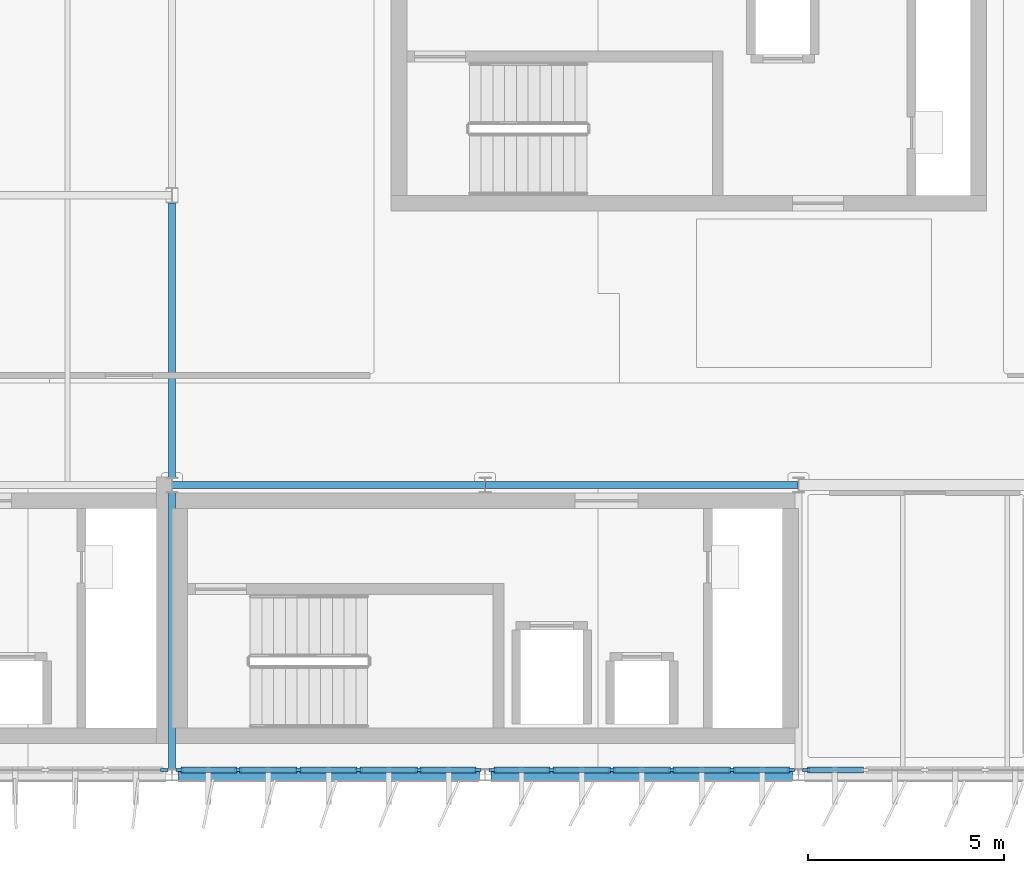
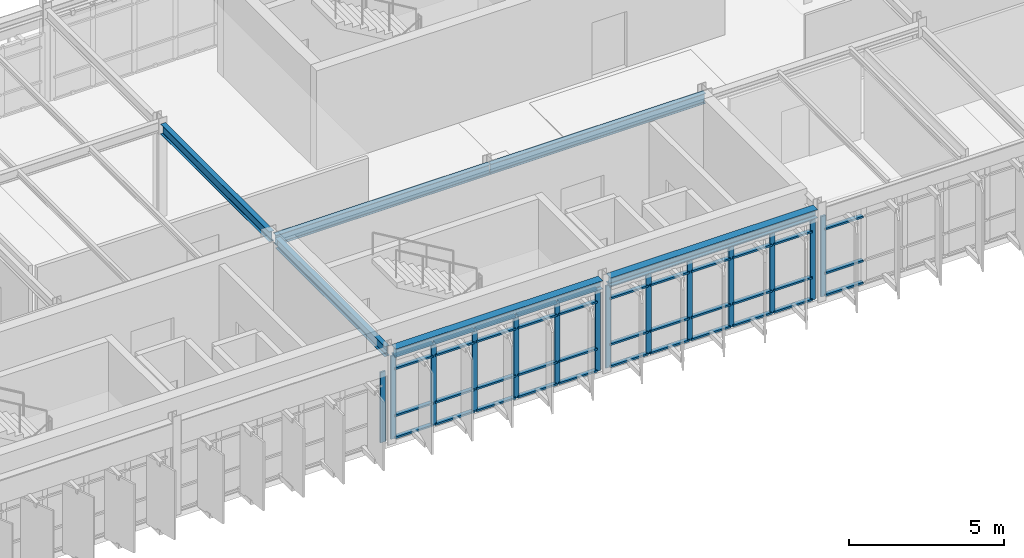
# One storey, part 9 of 35: 57 members, 6 beams, 4 elements without a shape of their own.
"""IFC4 building model written with IfcOpenShell, lengths in metres."""

from ifc_helpers import new_model, si_unit, direction, frame, origin, origin_2d, place, context, subcontext, project, spatial, rectangle, i_section, extrude, material, layer, layer_set, material_profile, profile_set, type_object, element, aggregate, save


model = new_model("IFC4")

# Units and contexts
model_context = context("Model", 3, precision=1e-05, world=origin(), true_north=direction((0.0, 1.0)))
body_context = subcontext(model_context, "Body", "Model", "MODEL_VIEW")
ifc_project = project(units=[si_unit("LENGTHUNIT", "METRE"), si_unit("AREAUNIT", "SQUARE_METRE"), si_unit("VOLUMEUNIT", "CUBIC_METRE"), si_unit("PLANEANGLEUNIT", "RADIAN"), si_unit("MASSUNIT", "GRAM", prefix="KILO")], contexts=[model_context])

# Site, building, storey
site_placement = place(None, origin())
site = spatial("IfcSite", under=ifc_project, at=site_placement, CompositionType="ELEMENT")
building_placement = place(site_placement, origin())
building = spatial("IfcBuilding", under=site, at=building_placement, Name="Valkorina Park Police Headquarters", CompositionType="ELEMENT")
storey_placement = place(building_placement, frame((0.0, 0.0, 27.199951171875)))
storey = spatial("IfcBuildingStorey", under=building, at=storey_placement, Name="L07", CompositionType="ELEMENT", Elevation=27.199951171875)

# Beams
ifc_material_1 = material(Name="Steel S355", Category="steel")
ifc_material_profile_1 = material_profile(ifc_material_1, i_section(OverallWidth=0.300048828125, OverallDepth=0.330078125, WebThickness=0.009521484375, FlangeThickness=0.0166015625, FilletRadius=0.027099609375, at=origin_2d()), Name="HEA 340")
ifc_profile_set_1 = profile_set([ifc_material_profile_1], Name="Steel S355")
beam_type_1 = type_object("IfcBeamType", Name="BM-S355-HEA340-SPN", PredefinedType="SPANDREL", material=ifc_profile_set_1)
for number, where, z_axis, x_axis, name in (
    (1, (32.949951171875, 37.0, 3.51513671875), (1.0, 0.0, 0.0), (0.0, 1.0, 0.0), "L07 Framing Beam 2728"),
    (2, (40.949951171875, 37.0, 3.51513671875), (1.0, 0.0, 0.0), (0.0, 1.0, 0.0), "L07 Framing Beam 2729"),
):
    element("IfcBeam", number, at=place(storey_placement, frame(where, z_axis=z_axis, x_axis=x_axis)), inside=storey, type_object=beam_type_1, Name=name, PredefinedType="SPANDREL", context=body_context, shape_type="SweptSolid", body=[
        extrude(i_section(OverallWidth=0.300048828125, OverallDepth=0.330078125, WebThickness=0.009521484375, FlangeThickness=0.0166015625, FilletRadius=0.027099609375, at=origin_2d()), origin(), (0.0, 0.0, 1.0), 7.699951171875),
    ])
ifc_material_profile_2 = material_profile(ifc_material_1, i_section(OverallWidth=0.179931640625, OverallDepth=0.39990234375, WebThickness=0.008544921875, FlangeThickness=0.013427734375, FilletRadius=0.02099609375, at=origin_2d()), Name="IPE 400")
ifc_profile_set_2 = profile_set([ifc_material_profile_2], Name="Steel S355")
beam_type_2 = type_object("IfcBeamType", Name="BM-S355-IPE400-BM", PredefinedType="BEAM", material=ifc_profile_set_2)
for number, where, z_axis, x_axis, name in (
    (3, (32.805419921875, 44.39990234375, 3.47998046875), (1.0, 0.0, 0.0), (0.0, 1.0, 0.0), "L07 Framing Beam 2737"),
    (4, (40.805419921875, 44.39990234375, 3.47998046875), (1.0, 0.0, 0.0), (0.0, 1.0, 0.0), "L07 Framing Beam 2738"),
):
    element("IfcBeam", number, at=place(storey_placement, frame(where, z_axis=z_axis, x_axis=x_axis)), inside=storey, type_object=beam_type_2, Name=name, PredefinedType="BEAM", context=body_context, shape_type="SweptSolid", body=[
        extrude(i_section(OverallWidth=0.179931640625, OverallDepth=0.39990234375, WebThickness=0.008544921875, FlangeThickness=0.013427734375, FilletRadius=0.02099609375, at=origin_2d()), origin(), (0.0, 0.0, 1.0), 7.989013671875),
    ])
beam_1_placement = place(storey_placement, frame((32.800048828125, 37.14990234375, 3.47998046875), z_axis=(0.0, 1.0, 0.0), x_axis=(-1.0, 0.0, 0.0)))
element("IfcBeam", 5, at=beam_1_placement, inside=storey, type_object=beam_type_2, Name="L07 Framing Beam 2784", PredefinedType="BEAM", context=body_context, shape_type="SweptSolid", body=[
    extrude(i_section(OverallWidth=0.179931640625, OverallDepth=0.39990234375, WebThickness=0.008544921875, FlangeThickness=0.013427734375, FilletRadius=0.02099609375, at=origin_2d()), origin(), (0.0, 0.0, 1.0), 7.05517578125),
])
beam_2_placement = place(storey_placement, frame((32.800048828125, 44.594970703125, 3.47998046875), z_axis=(0.0, 1.0, 0.0), x_axis=(-1.0, 0.0, 0.0)))
element("IfcBeam", 6, at=beam_2_placement, inside=storey, type_object=beam_type_2, Name="L07 Framing Beam 2785", PredefinedType="BEAM", context=body_context, shape_type="SweptSolid", body=[
    extrude(i_section(OverallWidth=0.179931640625, OverallDepth=0.39990234375, WebThickness=0.008544921875, FlangeThickness=0.013427734375, FilletRadius=0.02099609375, at=origin_2d()), origin(), (0.0, 0.0, 1.0), 7.010009765625),
])

# Curtain wall, member
ifc_material_2 = material(Name="Thermally broken aluminium AW-6060", Category="aluminium")
ifc_layer_1 = layer(ifc_material_2, 0.18994140625)
ifc_layer_set_1 = layer_set([ifc_layer_1], Name="Thermally broken aluminium AW-6060")
curtain_wall_type_1 = type_object("IfcCurtainWallType", Name="CW-V5-7680x3160", PredefinedType="NOTDEFINED", material=ifc_layer_set_1)
curtain_wall_1_placement = place(storey_placement, origin())
curtain_wall_1 = element("IfcCurtainWall", 7, at=curtain_wall_1_placement, inside=storey, type_object=curtain_wall_type_1, Name="L07 Unitised Curtain Wall 135", PredefinedType="NOTDEFINED")
ifc_material_profile_3 = material_profile(ifc_material_2, rectangle(XDim=0.070068359375, YDim=0.18994140625, at=origin_2d()), Name="CWM-02 70x190")
ifc_profile_set_3 = profile_set([ifc_material_profile_3], Name="Thermally broken aluminium AW-6060")
member_type_1 = type_object("IfcMemberType", Name="CWM-70x190", PredefinedType="MULLION", material=ifc_profile_set_3)
member_1_placement = place(storey_placement, frame((48.9951171875, 37.1201171875, 0.0), z_axis=(0.0, 0.0, 1.0), x_axis=(0.0, -1.0, 0.0)))
member_1 = element("IfcMember", 8, at=member_1_placement, type_object=member_type_1, Name="CW-V5-768-316 mullion 6", PredefinedType="MULLION", context=body_context, shape_type="SweptSolid", body=[
    extrude(rectangle(XDim=0.070068359375, YDim=0.18994140625, at=origin_2d()), origin(), (0.0, 0.0, 1.0), 3.16015625),
])

# Curtain wall, members
ifc_layer_2 = layer(ifc_material_2, 0.18994140625)
ifc_layer_set_2 = layer_set([ifc_layer_2], Name="Thermally broken aluminium AW-6060")
curtain_wall_type_2 = type_object("IfcCurtainWallType", Name="CW-V5-7680x3230", PredefinedType="NOTDEFINED", material=ifc_layer_set_2)
curtain_wall_2_placement = place(storey_placement, origin())
curtain_wall_2 = element("IfcCurtainWall", 9, at=curtain_wall_2_placement, inside=storey, type_object=curtain_wall_type_2, Name="L07 Unitised Curtain Wall 136", PredefinedType="NOTDEFINED")
member_2_placement = place(storey_placement, frame((48.60498046875, 37.1201171875, 0.0), z_axis=(0.0, 0.0, 1.0), x_axis=(0.0, -1.0, 0.0)))
member_2 = element("IfcMember", 10, at=member_2_placement, type_object=member_type_1, Name="CW-V5-768-323 mullion 1", PredefinedType="MULLION", context=body_context, shape_type="SweptSolid", body=[
    extrude(rectangle(XDim=0.070068359375, YDim=0.18994140625, at=origin_2d()), origin(), (0.0, 0.0, 1.0), 3.22998046875),
])
member_3_placement = place(storey_placement, frame((47.10400390625, 37.1201171875, 0.0), z_axis=(0.0, 0.0, 1.0), x_axis=(0.0, -1.0, 0.0)))
member_3 = element("IfcMember", 11, at=member_3_placement, type_object=member_type_1, Name="CW-V5-768-323 mullion 2", PredefinedType="MULLION", context=body_context, shape_type="SweptSolid", body=[
    extrude(rectangle(XDim=0.070068359375, YDim=0.18994140625, at=origin_2d()), origin(), (0.0, 0.0, 1.0), 3.22998046875),
])
member_4_placement = place(storey_placement, frame((45.568115234375, 37.1201171875, 0.0), z_axis=(0.0, 0.0, 1.0), x_axis=(0.0, -1.0, 0.0)))
member_4 = element("IfcMember", 12, at=member_4_placement, type_object=member_type_1, Name="CW-V5-768-323 mullion 3", PredefinedType="MULLION", context=body_context, shape_type="SweptSolid", body=[
    extrude(rectangle(XDim=0.070068359375, YDim=0.18994140625, at=origin_2d()), origin(), (0.0, 0.0, 1.0), 3.22998046875),
])
member_5_placement = place(storey_placement, frame((44.031982421875, 37.1201171875, 0.0), z_axis=(0.0, 0.0, 1.0), x_axis=(0.0, -1.0, 0.0)))
member_5 = element("IfcMember", 13, at=member_5_placement, type_object=member_type_1, Name="CW-V5-768-323 mullion 4", PredefinedType="MULLION", context=body_context, shape_type="SweptSolid", body=[
    extrude(rectangle(XDim=0.070068359375, YDim=0.18994140625, at=origin_2d()), origin(), (0.0, 0.0, 1.0), 3.22998046875),
])
member_6_placement = place(storey_placement, frame((42.49609375, 37.1201171875, 0.0), z_axis=(0.0, 0.0, 1.0), x_axis=(0.0, -1.0, 0.0)))
member_6 = element("IfcMember", 14, at=member_6_placement, type_object=member_type_1, Name="CW-V5-768-323 mullion 5", PredefinedType="MULLION", context=body_context, shape_type="SweptSolid", body=[
    extrude(rectangle(XDim=0.070068359375, YDim=0.18994140625, at=origin_2d()), origin(), (0.0, 0.0, 1.0), 3.22998046875),
])
member_7_placement = place(storey_placement, frame((40.9951171875, 37.1201171875, 0.0), z_axis=(0.0, 0.0, 1.0), x_axis=(0.0, -1.0, 0.0)))
member_7 = element("IfcMember", 15, at=member_7_placement, type_object=member_type_1, Name="CW-V5-768-323 mullion 6", PredefinedType="MULLION", context=body_context, shape_type="SweptSolid", body=[
    extrude(rectangle(XDim=0.070068359375, YDim=0.18994140625, at=origin_2d()), origin(), (0.0, 0.0, 1.0), 3.22998046875),
])

ifc_layer_3 = layer(ifc_material_2, 0.18994140625)
ifc_layer_set_3 = layer_set([ifc_layer_3], Name="Thermally broken aluminium AW-6060")
curtain_wall_type_3 = type_object("IfcCurtainWallType", Name="CW-V5-7680x3270", PredefinedType="NOTDEFINED", material=ifc_layer_set_3)
curtain_wall_3_placement = place(storey_placement, origin())
curtain_wall_3 = element("IfcCurtainWall", 16, at=curtain_wall_3_placement, inside=storey, type_object=curtain_wall_type_3, Name="L07 Unitised Curtain Wall 137", PredefinedType="NOTDEFINED")
member_8_placement = place(storey_placement, frame((40.60498046875, 37.1201171875, 0.0), z_axis=(0.0, 0.0, 1.0), x_axis=(0.0, -1.0, 0.0)))
member_8 = element("IfcMember", 17, at=member_8_placement, type_object=member_type_1, Name="CW-V5-768-327 mullion 1", PredefinedType="MULLION", context=body_context, shape_type="SweptSolid", body=[
    extrude(rectangle(XDim=0.070068359375, YDim=0.18994140625, at=origin_2d()), origin(), (0.0, 0.0, 1.0), 3.27001953125),
])
member_9_placement = place(storey_placement, frame((39.10400390625, 37.1201171875, 0.0), z_axis=(0.0, 0.0, 1.0), x_axis=(0.0, -1.0, 0.0)))
member_9 = element("IfcMember", 18, at=member_9_placement, type_object=member_type_1, Name="CW-V5-768-327 mullion 2", PredefinedType="MULLION", context=body_context, shape_type="SweptSolid", body=[
    extrude(rectangle(XDim=0.070068359375, YDim=0.18994140625, at=origin_2d()), origin(), (0.0, 0.0, 1.0), 3.27001953125),
])
member_10_placement = place(storey_placement, frame((37.568115234375, 37.1201171875, 0.0), z_axis=(0.0, 0.0, 1.0), x_axis=(0.0, -1.0, 0.0)))
member_10 = element("IfcMember", 19, at=member_10_placement, type_object=member_type_1, Name="CW-V5-768-327 mullion 3", PredefinedType="MULLION", context=body_context, shape_type="SweptSolid", body=[
    extrude(rectangle(XDim=0.070068359375, YDim=0.18994140625, at=origin_2d()), origin(), (0.0, 0.0, 1.0), 3.27001953125),
])
member_11_placement = place(storey_placement, frame((36.031982421875, 37.1201171875, 0.0), z_axis=(0.0, 0.0, 1.0), x_axis=(0.0, -1.0, 0.0)))
member_11 = element("IfcMember", 20, at=member_11_placement, type_object=member_type_1, Name="CW-V5-768-327 mullion 4", PredefinedType="MULLION", context=body_context, shape_type="SweptSolid", body=[
    extrude(rectangle(XDim=0.070068359375, YDim=0.18994140625, at=origin_2d()), origin(), (0.0, 0.0, 1.0), 3.27001953125),
])
member_12_placement = place(storey_placement, frame((34.49609375, 37.1201171875, 0.0), z_axis=(0.0, 0.0, 1.0), x_axis=(0.0, -1.0, 0.0)))
member_12 = element("IfcMember", 21, at=member_12_placement, type_object=member_type_1, Name="CW-V5-768-327 mullion 5", PredefinedType="MULLION", context=body_context, shape_type="SweptSolid", body=[
    extrude(rectangle(XDim=0.070068359375, YDim=0.18994140625, at=origin_2d()), origin(), (0.0, 0.0, 1.0), 3.27001953125),
])
member_13_placement = place(storey_placement, frame((32.9951171875, 37.1201171875, 0.0), z_axis=(0.0, 0.0, 1.0), x_axis=(0.0, -1.0, 0.0)))
member_13 = element("IfcMember", 22, at=member_13_placement, type_object=member_type_1, Name="CW-V5-768-327 mullion 6", PredefinedType="MULLION", context=body_context, shape_type="SweptSolid", body=[
    extrude(rectangle(XDim=0.070068359375, YDim=0.18994140625, at=origin_2d()), origin(), (0.0, 0.0, 1.0), 3.27001953125),
])

# Curtain wall, member
ifc_layer_4 = layer(ifc_material_2, 0.18994140625)
ifc_layer_set_4 = layer_set([ifc_layer_4], Name="Thermally broken aluminium AW-6060")
curtain_wall_type_4 = type_object("IfcCurtainWallType", Name="CW-V5-7680x2770", PredefinedType="NOTDEFINED", material=ifc_layer_set_4)
curtain_wall_4_placement = place(storey_placement, origin())
curtain_wall_4 = element("IfcCurtainWall", 23, at=curtain_wall_4_placement, inside=storey, type_object=curtain_wall_type_4, Name="L07 Unitised Curtain Wall 138", PredefinedType="NOTDEFINED")
member_14_placement = place(storey_placement, frame((32.60498046875, 37.1201171875, 0.0), z_axis=(0.0, 0.0, 1.0), x_axis=(0.0, -1.0, 0.0)))
member_14 = element("IfcMember", 24, at=member_14_placement, type_object=member_type_1, Name="CW-V5-768-277 mullion 1", PredefinedType="MULLION", context=body_context, shape_type="SweptSolid", body=[
    extrude(rectangle(XDim=0.070068359375, YDim=0.18994140625, at=origin_2d()), origin(), (0.0, 0.0, 1.0), 2.77001953125),
])
aggregate(curtain_wall_4, [member_14])

# Member
ifc_material_profile_4 = material_profile(ifc_material_2, rectangle(XDim=0.14990234375, YDim=0.070068359375, at=origin_2d()), Name="CWT-02 150x70")
ifc_profile_set_4 = profile_set([ifc_material_profile_4], Name="Thermally broken aluminium AW-6060")
member_type_2 = type_object("IfcMemberType", Name="CWT-150x70", PredefinedType="USERDEFINED", material=ifc_profile_set_4)
member_15_placement = place(storey_placement, frame((50.4609375, 37.1201171875, 0.03515625), z_axis=(-1.0, 0.0, 0.0), x_axis=(0.0, -1.0, 0.0)))
member_15 = element("IfcMember", 25, at=member_15_placement, type_object=member_type_2, Name="CW-V5-768-316 transom 5.1", ObjectType="TRANSOM", PredefinedType="USERDEFINED", context=body_context, shape_type="SweptSolid", body=[
    extrude(rectangle(XDim=0.14990234375, YDim=0.070068359375, at=origin_2d()), origin(), (0.0, 0.0, 1.0), 1.430908203125),
])

member_16_placement = place(storey_placement, frame((50.4609375, 37.1201171875, 0.900146484375), z_axis=(-1.0, 0.0, 0.0), x_axis=(0.0, -1.0, 0.0)))
member_16 = element("IfcMember", 26, at=member_16_placement, type_object=member_type_2, Name="CW-V5-768-316 transom 5.2", ObjectType="TRANSOM", PredefinedType="USERDEFINED", context=body_context, shape_type="SweptSolid", body=[
    extrude(rectangle(XDim=0.14990234375, YDim=0.070068359375, at=origin_2d()), origin(), (0.0, 0.0, 1.0), 1.430908203125),
])

member_17_placement = place(storey_placement, frame((50.4609375, 37.1201171875, 2.64013671875), z_axis=(-1.0, 0.0, 0.0), x_axis=(0.0, -1.0, 0.0)))
member_17 = element("IfcMember", 27, at=member_17_placement, type_object=member_type_2, Name="CW-V5-768-316 transom 5.3", ObjectType="TRANSOM", PredefinedType="USERDEFINED", context=body_context, shape_type="SweptSolid", body=[
    extrude(rectangle(XDim=0.14990234375, YDim=0.070068359375, at=origin_2d()), origin(), (0.0, 0.0, 1.0), 1.430908203125),
])

aggregate(curtain_wall_1, [member_1, member_15, member_16, member_17])

member_18_placement = place(storey_placement, frame((48.570068359375, 37.1201171875, 0.03515625), z_axis=(-1.0, 0.0, 0.0), x_axis=(0.0, -1.0, 0.0)))
member_18 = element("IfcMember", 28, at=member_18_placement, type_object=member_type_2, Name="CW-V5-768-323 transom 1.1", ObjectType="TRANSOM", PredefinedType="USERDEFINED", context=body_context, shape_type="SweptSolid", body=[
    extrude(rectangle(XDim=0.14990234375, YDim=0.070068359375, at=origin_2d()), origin(), (0.0, 0.0, 1.0), 1.43115234375),
])

member_19_placement = place(storey_placement, frame((48.570068359375, 37.1201171875, 0.900146484375), z_axis=(-1.0, 0.0, 0.0), x_axis=(0.0, -1.0, 0.0)))
member_19 = element("IfcMember", 29, at=member_19_placement, type_object=member_type_2, Name="CW-V5-768-323 transom 1.2", ObjectType="TRANSOM", PredefinedType="USERDEFINED", context=body_context, shape_type="SweptSolid", body=[
    extrude(rectangle(XDim=0.14990234375, YDim=0.070068359375, at=origin_2d()), origin(), (0.0, 0.0, 1.0), 1.43115234375),
])

member_20_placement = place(storey_placement, frame((48.570068359375, 37.1201171875, 2.7099609375), z_axis=(-1.0, 0.0, 0.0), x_axis=(0.0, -1.0, 0.0)))
member_20 = element("IfcMember", 30, at=member_20_placement, type_object=member_type_2, Name="CW-V5-768-323 transom 1.3", ObjectType="TRANSOM", PredefinedType="USERDEFINED", context=body_context, shape_type="SweptSolid", body=[
    extrude(rectangle(XDim=0.14990234375, YDim=0.070068359375, at=origin_2d()), origin(), (0.0, 0.0, 1.0), 1.43115234375),
])

member_21_placement = place(storey_placement, frame((48.570068359375, 37.1201171875, 3.195068359375), z_axis=(-1.0, 0.0, 0.0), x_axis=(0.0, -1.0, 0.0)))
member_21 = element("IfcMember", 31, at=member_21_placement, type_object=member_type_2, Name="CW-V5-768-323 transom 1.4", ObjectType="TRANSOM", PredefinedType="USERDEFINED", context=body_context, shape_type="SweptSolid", body=[
    extrude(rectangle(XDim=0.14990234375, YDim=0.070068359375, at=origin_2d()), origin(), (0.0, 0.0, 1.0), 1.43115234375),
])

member_22_placement = place(storey_placement, frame((47.069091796875, 37.1201171875, 0.03515625), z_axis=(-1.0, 0.0, 0.0), x_axis=(0.0, -1.0, 0.0)))
member_22 = element("IfcMember", 32, at=member_22_placement, type_object=member_type_2, Name="CW-V5-768-323 transom 2.1", ObjectType="TRANSOM", PredefinedType="USERDEFINED", context=body_context, shape_type="SweptSolid", body=[
    extrude(rectangle(XDim=0.14990234375, YDim=0.070068359375, at=origin_2d()), origin(), (0.0, 0.0, 1.0), 1.466064453125),
])

member_23_placement = place(storey_placement, frame((47.069091796875, 37.1201171875, 0.900146484375), z_axis=(-1.0, 0.0, 0.0), x_axis=(0.0, -1.0, 0.0)))
member_23 = element("IfcMember", 33, at=member_23_placement, type_object=member_type_2, Name="CW-V5-768-323 transom 2.2", ObjectType="TRANSOM", PredefinedType="USERDEFINED", context=body_context, shape_type="SweptSolid", body=[
    extrude(rectangle(XDim=0.14990234375, YDim=0.070068359375, at=origin_2d()), origin(), (0.0, 0.0, 1.0), 1.466064453125),
])

member_24_placement = place(storey_placement, frame((47.069091796875, 37.1201171875, 2.7099609375), z_axis=(-1.0, 0.0, 0.0), x_axis=(0.0, -1.0, 0.0)))
member_24 = element("IfcMember", 34, at=member_24_placement, type_object=member_type_2, Name="CW-V5-768-323 transom 2.3", ObjectType="TRANSOM", PredefinedType="USERDEFINED", context=body_context, shape_type="SweptSolid", body=[
    extrude(rectangle(XDim=0.14990234375, YDim=0.070068359375, at=origin_2d()), origin(), (0.0, 0.0, 1.0), 1.466064453125),
])

member_25_placement = place(storey_placement, frame((47.069091796875, 37.1201171875, 3.195068359375), z_axis=(-1.0, 0.0, 0.0), x_axis=(0.0, -1.0, 0.0)))
member_25 = element("IfcMember", 35, at=member_25_placement, type_object=member_type_2, Name="CW-V5-768-323 transom 2.4", ObjectType="TRANSOM", PredefinedType="USERDEFINED", context=body_context, shape_type="SweptSolid", body=[
    extrude(rectangle(XDim=0.14990234375, YDim=0.070068359375, at=origin_2d()), origin(), (0.0, 0.0, 1.0), 1.466064453125),
])

member_26_placement = place(storey_placement, frame((45.532958984375, 37.1201171875, 0.03515625), z_axis=(-1.0, 0.0, 0.0), x_axis=(0.0, -1.0, 0.0)))
member_26 = element("IfcMember", 36, at=member_26_placement, type_object=member_type_2, Name="CW-V5-768-323 transom 3.1", ObjectType="TRANSOM", PredefinedType="USERDEFINED", context=body_context, shape_type="SweptSolid", body=[
    extrude(rectangle(XDim=0.14990234375, YDim=0.070068359375, at=origin_2d()), origin(), (0.0, 0.0, 1.0), 1.466064453125),
])

member_27_placement = place(storey_placement, frame((45.532958984375, 37.1201171875, 0.900146484375), z_axis=(-1.0, 0.0, 0.0), x_axis=(0.0, -1.0, 0.0)))
member_27 = element("IfcMember", 37, at=member_27_placement, type_object=member_type_2, Name="CW-V5-768-323 transom 3.2", ObjectType="TRANSOM", PredefinedType="USERDEFINED", context=body_context, shape_type="SweptSolid", body=[
    extrude(rectangle(XDim=0.14990234375, YDim=0.070068359375, at=origin_2d()), origin(), (0.0, 0.0, 1.0), 1.466064453125),
])

member_28_placement = place(storey_placement, frame((45.532958984375, 37.1201171875, 2.7099609375), z_axis=(-1.0, 0.0, 0.0), x_axis=(0.0, -1.0, 0.0)))
member_28 = element("IfcMember", 38, at=member_28_placement, type_object=member_type_2, Name="CW-V5-768-323 transom 3.3", ObjectType="TRANSOM", PredefinedType="USERDEFINED", context=body_context, shape_type="SweptSolid", body=[
    extrude(rectangle(XDim=0.14990234375, YDim=0.070068359375, at=origin_2d()), origin(), (0.0, 0.0, 1.0), 1.466064453125),
])

member_29_placement = place(storey_placement, frame((45.532958984375, 37.1201171875, 3.195068359375), z_axis=(-1.0, 0.0, 0.0), x_axis=(0.0, -1.0, 0.0)))
member_29 = element("IfcMember", 39, at=member_29_placement, type_object=member_type_2, Name="CW-V5-768-323 transom 3.4", ObjectType="TRANSOM", PredefinedType="USERDEFINED", context=body_context, shape_type="SweptSolid", body=[
    extrude(rectangle(XDim=0.14990234375, YDim=0.070068359375, at=origin_2d()), origin(), (0.0, 0.0, 1.0), 1.466064453125),
])

member_30_placement = place(storey_placement, frame((43.9970703125, 37.1201171875, 0.03515625), z_axis=(-1.0, 0.0, 0.0), x_axis=(0.0, -1.0, 0.0)))
member_30 = element("IfcMember", 40, at=member_30_placement, type_object=member_type_2, Name="CW-V5-768-323 transom 4.1", ObjectType="TRANSOM", PredefinedType="USERDEFINED", context=body_context, shape_type="SweptSolid", body=[
    extrude(rectangle(XDim=0.14990234375, YDim=0.070068359375, at=origin_2d()), origin(), (0.0, 0.0, 1.0), 1.466064453125),
])

member_31_placement = place(storey_placement, frame((43.9970703125, 37.1201171875, 0.900146484375), z_axis=(-1.0, 0.0, 0.0), x_axis=(0.0, -1.0, 0.0)))
member_31 = element("IfcMember", 41, at=member_31_placement, type_object=member_type_2, Name="CW-V5-768-323 transom 4.2", ObjectType="TRANSOM", PredefinedType="USERDEFINED", context=body_context, shape_type="SweptSolid", body=[
    extrude(rectangle(XDim=0.14990234375, YDim=0.070068359375, at=origin_2d()), origin(), (0.0, 0.0, 1.0), 1.466064453125),
])

member_32_placement = place(storey_placement, frame((43.9970703125, 37.1201171875, 2.7099609375), z_axis=(-1.0, 0.0, 0.0), x_axis=(0.0, -1.0, 0.0)))
member_32 = element("IfcMember", 42, at=member_32_placement, type_object=member_type_2, Name="CW-V5-768-323 transom 4.3", ObjectType="TRANSOM", PredefinedType="USERDEFINED", context=body_context, shape_type="SweptSolid", body=[
    extrude(rectangle(XDim=0.14990234375, YDim=0.070068359375, at=origin_2d()), origin(), (0.0, 0.0, 1.0), 1.466064453125),
])

member_33_placement = place(storey_placement, frame((43.9970703125, 37.1201171875, 3.195068359375), z_axis=(-1.0, 0.0, 0.0), x_axis=(0.0, -1.0, 0.0)))
member_33 = element("IfcMember", 43, at=member_33_placement, type_object=member_type_2, Name="CW-V5-768-323 transom 4.4", ObjectType="TRANSOM", PredefinedType="USERDEFINED", context=body_context, shape_type="SweptSolid", body=[
    extrude(rectangle(XDim=0.14990234375, YDim=0.070068359375, at=origin_2d()), origin(), (0.0, 0.0, 1.0), 1.466064453125),
])

member_34_placement = place(storey_placement, frame((42.4609375, 37.1201171875, 0.03515625), z_axis=(-1.0, 0.0, 0.0), x_axis=(0.0, -1.0, 0.0)))
member_34 = element("IfcMember", 44, at=member_34_placement, type_object=member_type_2, Name="CW-V5-768-323 transom 5.1", ObjectType="TRANSOM", PredefinedType="USERDEFINED", context=body_context, shape_type="SweptSolid", body=[
    extrude(rectangle(XDim=0.14990234375, YDim=0.070068359375, at=origin_2d()), origin(), (0.0, 0.0, 1.0), 1.430908203125),
])

member_35_placement = place(storey_placement, frame((42.4609375, 37.1201171875, 0.900146484375), z_axis=(-1.0, 0.0, 0.0), x_axis=(0.0, -1.0, 0.0)))
member_35 = element("IfcMember", 45, at=member_35_placement, type_object=member_type_2, Name="CW-V5-768-323 transom 5.2", ObjectType="TRANSOM", PredefinedType="USERDEFINED", context=body_context, shape_type="SweptSolid", body=[
    extrude(rectangle(XDim=0.14990234375, YDim=0.070068359375, at=origin_2d()), origin(), (0.0, 0.0, 1.0), 1.430908203125),
])

member_36_placement = place(storey_placement, frame((42.4609375, 37.1201171875, 2.7099609375), z_axis=(-1.0, 0.0, 0.0), x_axis=(0.0, -1.0, 0.0)))
member_36 = element("IfcMember", 46, at=member_36_placement, type_object=member_type_2, Name="CW-V5-768-323 transom 5.3", ObjectType="TRANSOM", PredefinedType="USERDEFINED", context=body_context, shape_type="SweptSolid", body=[
    extrude(rectangle(XDim=0.14990234375, YDim=0.070068359375, at=origin_2d()), origin(), (0.0, 0.0, 1.0), 1.430908203125),
])

member_37_placement = place(storey_placement, frame((42.4609375, 37.1201171875, 3.195068359375), z_axis=(-1.0, 0.0, 0.0), x_axis=(0.0, -1.0, 0.0)))
member_37 = element("IfcMember", 47, at=member_37_placement, type_object=member_type_2, Name="CW-V5-768-323 transom 5.4", ObjectType="TRANSOM", PredefinedType="USERDEFINED", context=body_context, shape_type="SweptSolid", body=[
    extrude(rectangle(XDim=0.14990234375, YDim=0.070068359375, at=origin_2d()), origin(), (0.0, 0.0, 1.0), 1.430908203125),
])

aggregate(curtain_wall_2, [member_2, member_3, member_4, member_5, member_6, member_7, member_18, member_19, member_20, member_21, member_22, member_23, member_24, member_25, member_26, member_27, member_28, member_29, member_30, member_31, member_32, member_33, member_34, member_35, member_36, member_37])

member_38_placement = place(storey_placement, frame((40.570068359375, 37.1201171875, 0.03515625), z_axis=(-1.0, 0.0, 0.0), x_axis=(0.0, -1.0, 0.0)))
member_38 = element("IfcMember", 48, at=member_38_placement, type_object=member_type_2, Name="CW-V5-768-327 transom 1.1", ObjectType="TRANSOM", PredefinedType="USERDEFINED", context=body_context, shape_type="SweptSolid", body=[
    extrude(rectangle(XDim=0.14990234375, YDim=0.070068359375, at=origin_2d()), origin(), (0.0, 0.0, 1.0), 1.43115234375),
])

member_39_placement = place(storey_placement, frame((40.570068359375, 37.1201171875, 0.900146484375), z_axis=(-1.0, 0.0, 0.0), x_axis=(0.0, -1.0, 0.0)))
member_39 = element("IfcMember", 49, at=member_39_placement, type_object=member_type_2, Name="CW-V5-768-327 transom 1.2", ObjectType="TRANSOM", PredefinedType="USERDEFINED", context=body_context, shape_type="SweptSolid", body=[
    extrude(rectangle(XDim=0.14990234375, YDim=0.070068359375, at=origin_2d()), origin(), (0.0, 0.0, 1.0), 1.43115234375),
])

member_40_placement = place(storey_placement, frame((40.570068359375, 37.1201171875, 2.75), z_axis=(-1.0, 0.0, 0.0), x_axis=(0.0, -1.0, 0.0)))
member_40 = element("IfcMember", 50, at=member_40_placement, type_object=member_type_2, Name="CW-V5-768-327 transom 1.3", ObjectType="TRANSOM", PredefinedType="USERDEFINED", context=body_context, shape_type="SweptSolid", body=[
    extrude(rectangle(XDim=0.14990234375, YDim=0.070068359375, at=origin_2d()), origin(), (0.0, 0.0, 1.0), 1.43115234375),
])

member_41_placement = place(storey_placement, frame((40.570068359375, 37.1201171875, 3.235107421875), z_axis=(-1.0, 0.0, 0.0), x_axis=(0.0, -1.0, 0.0)))
member_41 = element("IfcMember", 51, at=member_41_placement, type_object=member_type_2, Name="CW-V5-768-327 transom 1.4", ObjectType="TRANSOM", PredefinedType="USERDEFINED", context=body_context, shape_type="SweptSolid", body=[
    extrude(rectangle(XDim=0.14990234375, YDim=0.070068359375, at=origin_2d()), origin(), (0.0, 0.0, 1.0), 1.43115234375),
])

member_42_placement = place(storey_placement, frame((39.069091796875, 37.1201171875, 0.03515625), z_axis=(-1.0, 0.0, 0.0), x_axis=(0.0, -1.0, 0.0)))
member_42 = element("IfcMember", 52, at=member_42_placement, type_object=member_type_2, Name="CW-V5-768-327 transom 2.1", ObjectType="TRANSOM", PredefinedType="USERDEFINED", context=body_context, shape_type="SweptSolid", body=[
    extrude(rectangle(XDim=0.14990234375, YDim=0.070068359375, at=origin_2d()), origin(), (0.0, 0.0, 1.0), 1.466064453125),
])

member_43_placement = place(storey_placement, frame((39.069091796875, 37.1201171875, 0.900146484375), z_axis=(-1.0, 0.0, 0.0), x_axis=(0.0, -1.0, 0.0)))
member_43 = element("IfcMember", 53, at=member_43_placement, type_object=member_type_2, Name="CW-V5-768-327 transom 2.2", ObjectType="TRANSOM", PredefinedType="USERDEFINED", context=body_context, shape_type="SweptSolid", body=[
    extrude(rectangle(XDim=0.14990234375, YDim=0.070068359375, at=origin_2d()), origin(), (0.0, 0.0, 1.0), 1.466064453125),
])

member_44_placement = place(storey_placement, frame((39.069091796875, 37.1201171875, 2.75), z_axis=(-1.0, 0.0, 0.0), x_axis=(0.0, -1.0, 0.0)))
member_44 = element("IfcMember", 54, at=member_44_placement, type_object=member_type_2, Name="CW-V5-768-327 transom 2.3", ObjectType="TRANSOM", PredefinedType="USERDEFINED", context=body_context, shape_type="SweptSolid", body=[
    extrude(rectangle(XDim=0.14990234375, YDim=0.070068359375, at=origin_2d()), origin(), (0.0, 0.0, 1.0), 1.466064453125),
])

member_45_placement = place(storey_placement, frame((39.069091796875, 37.1201171875, 3.235107421875), z_axis=(-1.0, 0.0, 0.0), x_axis=(0.0, -1.0, 0.0)))
member_45 = element("IfcMember", 55, at=member_45_placement, type_object=member_type_2, Name="CW-V5-768-327 transom 2.4", ObjectType="TRANSOM", PredefinedType="USERDEFINED", context=body_context, shape_type="SweptSolid", body=[
    extrude(rectangle(XDim=0.14990234375, YDim=0.070068359375, at=origin_2d()), origin(), (0.0, 0.0, 1.0), 1.466064453125),
])

member_46_placement = place(storey_placement, frame((37.532958984375, 37.1201171875, 0.03515625), z_axis=(-1.0, 0.0, 0.0), x_axis=(0.0, -1.0, 0.0)))
member_46 = element("IfcMember", 56, at=member_46_placement, type_object=member_type_2, Name="CW-V5-768-327 transom 3.1", ObjectType="TRANSOM", PredefinedType="USERDEFINED", context=body_context, shape_type="SweptSolid", body=[
    extrude(rectangle(XDim=0.14990234375, YDim=0.070068359375, at=origin_2d()), origin(), (0.0, 0.0, 1.0), 1.466064453125),
])

member_47_placement = place(storey_placement, frame((37.532958984375, 37.1201171875, 0.900146484375), z_axis=(-1.0, 0.0, 0.0), x_axis=(0.0, -1.0, 0.0)))
member_47 = element("IfcMember", 57, at=member_47_placement, type_object=member_type_2, Name="CW-V5-768-327 transom 3.2", ObjectType="TRANSOM", PredefinedType="USERDEFINED", context=body_context, shape_type="SweptSolid", body=[
    extrude(rectangle(XDim=0.14990234375, YDim=0.070068359375, at=origin_2d()), origin(), (0.0, 0.0, 1.0), 1.466064453125),
])

member_48_placement = place(storey_placement, frame((37.532958984375, 37.1201171875, 2.75), z_axis=(-1.0, 0.0, 0.0), x_axis=(0.0, -1.0, 0.0)))
member_48 = element("IfcMember", 58, at=member_48_placement, type_object=member_type_2, Name="CW-V5-768-327 transom 3.3", ObjectType="TRANSOM", PredefinedType="USERDEFINED", context=body_context, shape_type="SweptSolid", body=[
    extrude(rectangle(XDim=0.14990234375, YDim=0.070068359375, at=origin_2d()), origin(), (0.0, 0.0, 1.0), 1.466064453125),
])

member_49_placement = place(storey_placement, frame((37.532958984375, 37.1201171875, 3.235107421875), z_axis=(-1.0, 0.0, 0.0), x_axis=(0.0, -1.0, 0.0)))
member_49 = element("IfcMember", 59, at=member_49_placement, type_object=member_type_2, Name="CW-V5-768-327 transom 3.4", ObjectType="TRANSOM", PredefinedType="USERDEFINED", context=body_context, shape_type="SweptSolid", body=[
    extrude(rectangle(XDim=0.14990234375, YDim=0.070068359375, at=origin_2d()), origin(), (0.0, 0.0, 1.0), 1.466064453125),
])

member_50_placement = place(storey_placement, frame((35.9970703125, 37.1201171875, 0.03515625), z_axis=(-1.0, 0.0, 0.0), x_axis=(0.0, -1.0, 0.0)))
member_50 = element("IfcMember", 60, at=member_50_placement, type_object=member_type_2, Name="CW-V5-768-327 transom 4.1", ObjectType="TRANSOM", PredefinedType="USERDEFINED", context=body_context, shape_type="SweptSolid", body=[
    extrude(rectangle(XDim=0.14990234375, YDim=0.070068359375, at=origin_2d()), origin(), (0.0, 0.0, 1.0), 1.466064453125),
])

member_51_placement = place(storey_placement, frame((35.9970703125, 37.1201171875, 0.900146484375), z_axis=(-1.0, 0.0, 0.0), x_axis=(0.0, -1.0, 0.0)))
member_51 = element("IfcMember", 61, at=member_51_placement, type_object=member_type_2, Name="CW-V5-768-327 transom 4.2", ObjectType="TRANSOM", PredefinedType="USERDEFINED", context=body_context, shape_type="SweptSolid", body=[
    extrude(rectangle(XDim=0.14990234375, YDim=0.070068359375, at=origin_2d()), origin(), (0.0, 0.0, 1.0), 1.466064453125),
])

member_52_placement = place(storey_placement, frame((35.9970703125, 37.1201171875, 2.75), z_axis=(-1.0, 0.0, 0.0), x_axis=(0.0, -1.0, 0.0)))
member_52 = element("IfcMember", 62, at=member_52_placement, type_object=member_type_2, Name="CW-V5-768-327 transom 4.3", ObjectType="TRANSOM", PredefinedType="USERDEFINED", context=body_context, shape_type="SweptSolid", body=[
    extrude(rectangle(XDim=0.14990234375, YDim=0.070068359375, at=origin_2d()), origin(), (0.0, 0.0, 1.0), 1.466064453125),
])

member_53_placement = place(storey_placement, frame((35.9970703125, 37.1201171875, 3.235107421875), z_axis=(-1.0, 0.0, 0.0), x_axis=(0.0, -1.0, 0.0)))
member_53 = element("IfcMember", 63, at=member_53_placement, type_object=member_type_2, Name="CW-V5-768-327 transom 4.4", ObjectType="TRANSOM", PredefinedType="USERDEFINED", context=body_context, shape_type="SweptSolid", body=[
    extrude(rectangle(XDim=0.14990234375, YDim=0.070068359375, at=origin_2d()), origin(), (0.0, 0.0, 1.0), 1.466064453125),
])

member_54_placement = place(storey_placement, frame((34.4609375, 37.1201171875, 0.03515625), z_axis=(-1.0, 0.0, 0.0), x_axis=(0.0, -1.0, 0.0)))
member_54 = element("IfcMember", 64, at=member_54_placement, type_object=member_type_2, Name="CW-V5-768-327 transom 5.1", ObjectType="TRANSOM", PredefinedType="USERDEFINED", context=body_context, shape_type="SweptSolid", body=[
    extrude(rectangle(XDim=0.14990234375, YDim=0.070068359375, at=origin_2d()), origin(), (0.0, 0.0, 1.0), 1.430908203125),
])

member_55_placement = place(storey_placement, frame((34.4609375, 37.1201171875, 0.900146484375), z_axis=(-1.0, 0.0, 0.0), x_axis=(0.0, -1.0, 0.0)))
member_55 = element("IfcMember", 65, at=member_55_placement, type_object=member_type_2, Name="CW-V5-768-327 transom 5.2", ObjectType="TRANSOM", PredefinedType="USERDEFINED", context=body_context, shape_type="SweptSolid", body=[
    extrude(rectangle(XDim=0.14990234375, YDim=0.070068359375, at=origin_2d()), origin(), (0.0, 0.0, 1.0), 1.430908203125),
])

member_56_placement = place(storey_placement, frame((34.4609375, 37.1201171875, 2.75), z_axis=(-1.0, 0.0, 0.0), x_axis=(0.0, -1.0, 0.0)))
member_56 = element("IfcMember", 66, at=member_56_placement, type_object=member_type_2, Name="CW-V5-768-327 transom 5.3", ObjectType="TRANSOM", PredefinedType="USERDEFINED", context=body_context, shape_type="SweptSolid", body=[
    extrude(rectangle(XDim=0.14990234375, YDim=0.070068359375, at=origin_2d()), origin(), (0.0, 0.0, 1.0), 1.430908203125),
])

member_57_placement = place(storey_placement, frame((34.4609375, 37.1201171875, 3.235107421875), z_axis=(-1.0, 0.0, 0.0), x_axis=(0.0, -1.0, 0.0)))
member_57 = element("IfcMember", 67, at=member_57_placement, type_object=member_type_2, Name="CW-V5-768-327 transom 5.4", ObjectType="TRANSOM", PredefinedType="USERDEFINED", context=body_context, shape_type="SweptSolid", body=[
    extrude(rectangle(XDim=0.14990234375, YDim=0.070068359375, at=origin_2d()), origin(), (0.0, 0.0, 1.0), 1.430908203125),
])

aggregate(curtain_wall_3, [member_8, member_9, member_10, member_11, member_12, member_13, member_38, member_39, member_40, member_41, member_42, member_43, member_44, member_45, member_46, member_47, member_48, member_49, member_50, member_51, member_52, member_53, member_54, member_55, member_56, member_57])

save(model, "model.ifc")
